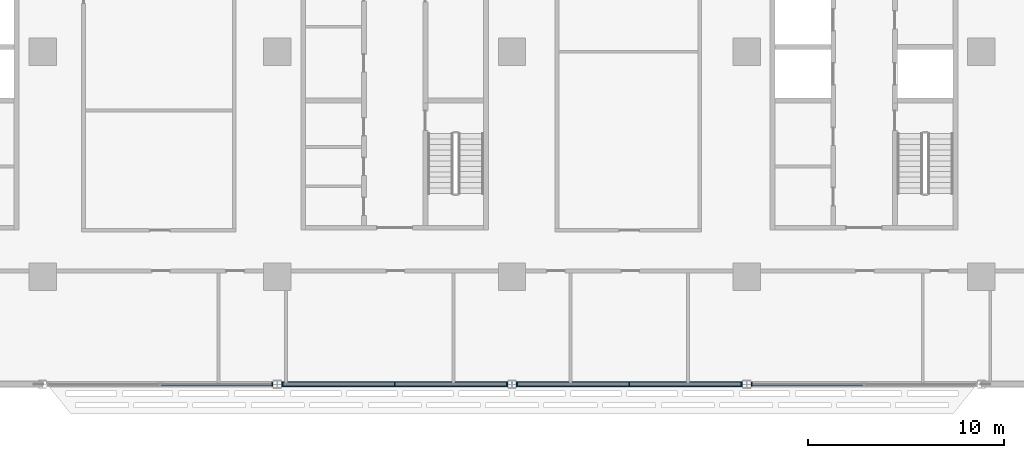
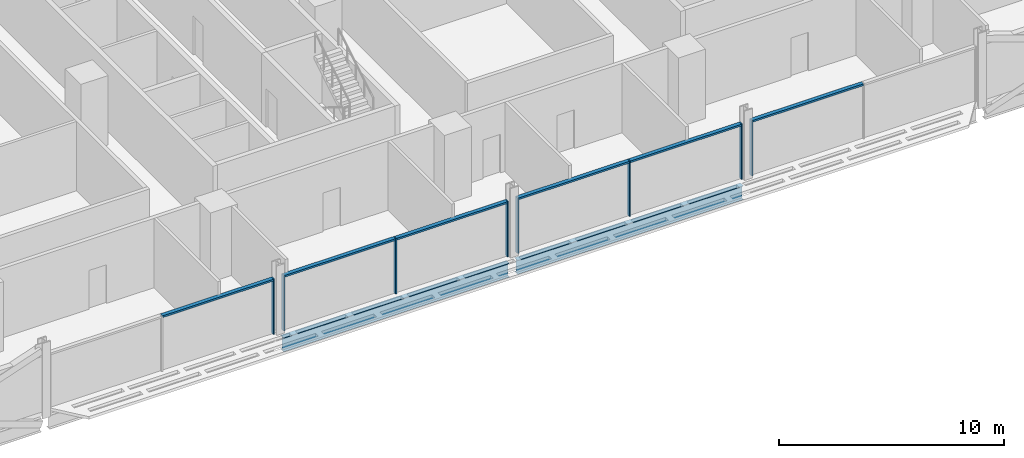
# One storey, part 5 of 29: 14 members, 2 beams, 4 elements without a shape of their own.
"""IFC4 building model written with IfcOpenShell, lengths in metres."""

from ifc_helpers import new_model, si_unit, direction, frame, origin, origin_2d, place, context, subcontext, project, spatial, rectangle, i_section, extrude, material, material_profile, profile_set, type_object, element, aggregate, save


model = new_model("IFC4")

# Units and contexts
model_context = context("Model", 3, precision=1e-05, world=origin(), true_north=direction((0.0, 1.0)))
body_context = subcontext(model_context, "Body", "Model", "MODEL_VIEW")
ifc_project = project(units=[si_unit("LENGTHUNIT", "METRE"), si_unit("AREAUNIT", "SQUARE_METRE"), si_unit("VOLUMEUNIT", "CUBIC_METRE"), si_unit("PLANEANGLEUNIT", "RADIAN"), si_unit("MASSUNIT", "GRAM", prefix="KILO")], contexts=[model_context])

# Site, building, storey
site_placement = place(None, origin())
site = spatial("IfcSite", under=ifc_project, at=site_placement, CompositionType="ELEMENT")
building_placement = place(site_placement, origin())
building = spatial("IfcBuilding", under=site, at=building_placement, Name="Mahtab Terrace Research Tower", CompositionType="ELEMENT")
storey_placement = place(building_placement, frame((0.0, 0.0, 97.10009765625)))
storey = spatial("IfcBuildingStorey", under=building, at=storey_placement, Name="L22", CompositionType="ELEMENT", Elevation=97.10009765625)

# Curtain wall, member
ifc_material_1 = material(Name="Laboratory ribbon curtain wall")
curtain_wall_type = type_object("IfcCurtainWallType", Name="Laboratory ribbon curtain wall", PredefinedType="NOTDEFINED", material=ifc_material_1)
curtain_wall_1_placement = place(storey_placement, origin())
curtain_wall_1 = element("IfcCurtainWall", 1, at=curtain_wall_1_placement, inside=storey, type_object=curtain_wall_type, Name="EN.L22.13.25", PredefinedType="NOTDEFINED")
ifc_material_2 = material(Name="Natural anodised aluminium", Category="aluminium")
ifc_material_profile_1 = material_profile(ifc_material_2, rectangle(XDim=0.199951171875, YDim=0.06494140625, at=origin_2d()), Name="MULLION 65x200")
ifc_profile_set_1 = profile_set([ifc_material_profile_1], Name="Natural anodised aluminium")
member_type_1 = type_object("IfcMemberType", Name="Laboratory ribbon curtain wall mullion", PredefinedType="MULLION", material=ifc_profile_set_1)
member_1_placement = place(storey_placement, frame((-6.260498046875, -17.0, 0.0), z_axis=(0.0, 0.0, 1.0), x_axis=(0.0, 1.0, 0.0)))
member_1 = element("IfcMember", 2, at=member_1_placement, type_object=member_type_1, Name="CWL-3 mullion 3", PredefinedType="MULLION", context=body_context, shape_type="SweptSolid", body=[
    extrude(rectangle(XDim=0.199951171875, YDim=0.06494140625, at=origin_2d()), origin(), (0.0, 0.0, 1.0), 3.0029296875),
])

# Curtain wall, members
curtain_wall_2_placement = place(storey_placement, origin())
curtain_wall_2 = element("IfcCurtainWall", 3, at=curtain_wall_2_placement, inside=storey, type_object=curtain_wall_type, Name="EN.L22.13.26", PredefinedType="NOTDEFINED")
member_2_placement = place(storey_placement, frame((-5.739501953125, -17.0, 0.0), z_axis=(0.0, 0.0, 1.0), x_axis=(0.0, 1.0, 0.0)))
member_2 = element("IfcMember", 4, at=member_2_placement, type_object=member_type_1, Name="CWL-3 mullion 1", PredefinedType="MULLION", context=body_context, shape_type="SweptSolid", body=[
    extrude(rectangle(XDim=0.199951171875, YDim=0.06494140625, at=origin_2d()), origin(), (0.0, 0.0, 1.0), 3.0029296875),
])
member_3_placement = place(storey_placement, frame((0.0, -17.0, 0.0), z_axis=(0.0, 0.0, 1.0), x_axis=(0.0, 1.0, 0.0)))
member_3 = element("IfcMember", 5, at=member_3_placement, type_object=member_type_1, Name="CWL-3 mullion 2", PredefinedType="MULLION", context=body_context, shape_type="SweptSolid", body=[
    extrude(rectangle(XDim=0.199951171875, YDim=0.06494140625, at=origin_2d()), origin(), (0.0, 0.0, 1.0), 3.0029296875),
])
member_4_placement = place(storey_placement, frame((5.739501953125, -17.0, 0.0), z_axis=(0.0, 0.0, 1.0), x_axis=(0.0, 1.0, 0.0)))
member_4 = element("IfcMember", 6, at=member_4_placement, type_object=member_type_1, Name="CWL-3 mullion 3", PredefinedType="MULLION", context=body_context, shape_type="SweptSolid", body=[
    extrude(rectangle(XDim=0.199951171875, YDim=0.06494140625, at=origin_2d()), origin(), (0.0, 0.0, 1.0), 3.0029296875),
])

curtain_wall_3_placement = place(storey_placement, origin())
curtain_wall_3 = element("IfcCurtainWall", 7, at=curtain_wall_3_placement, inside=storey, type_object=curtain_wall_type, Name="EN.L22.13.27", PredefinedType="NOTDEFINED")
member_5_placement = place(storey_placement, frame((6.260498046875, -17.0, 0.0), z_axis=(0.0, 0.0, 1.0), x_axis=(0.0, 1.0, 0.0)))
member_5 = element("IfcMember", 8, at=member_5_placement, type_object=member_type_1, Name="CWL-3 mullion 1", PredefinedType="MULLION", context=body_context, shape_type="SweptSolid", body=[
    extrude(rectangle(XDim=0.199951171875, YDim=0.06494140625, at=origin_2d()), origin(), (0.0, 0.0, 1.0), 3.0029296875),
])
member_6_placement = place(storey_placement, frame((12.0, -17.0, 0.0), z_axis=(0.0, 0.0, 1.0), x_axis=(0.0, 1.0, 0.0)))
member_6 = element("IfcMember", 9, at=member_6_placement, type_object=member_type_1, Name="CWL-3 mullion 2", PredefinedType="MULLION", context=body_context, shape_type="SweptSolid", body=[
    extrude(rectangle(XDim=0.199951171875, YDim=0.06494140625, at=origin_2d()), origin(), (0.0, 0.0, 1.0), 3.0029296875),
])
member_7_placement = place(storey_placement, frame((17.739501953125, -17.0, 0.0), z_axis=(0.0, 0.0, 1.0), x_axis=(0.0, 1.0, 0.0)))
member_7 = element("IfcMember", 10, at=member_7_placement, type_object=member_type_1, Name="CWL-3 mullion 3", PredefinedType="MULLION", context=body_context, shape_type="SweptSolid", body=[
    extrude(rectangle(XDim=0.199951171875, YDim=0.06494140625, at=origin_2d()), origin(), (0.0, 0.0, 1.0), 3.0029296875),
])

# Curtain wall, member
curtain_wall_4_placement = place(storey_placement, origin())
curtain_wall_4 = element("IfcCurtainWall", 11, at=curtain_wall_4_placement, inside=storey, type_object=curtain_wall_type, Name="EN.L22.13.28", PredefinedType="NOTDEFINED")
member_8_placement = place(storey_placement, frame((18.260498046875, -17.0, 0.0), z_axis=(0.0, 0.0, 1.0), x_axis=(0.0, 1.0, 0.0)))
member_8 = element("IfcMember", 12, at=member_8_placement, type_object=member_type_1, Name="CWL-3 mullion 1", PredefinedType="MULLION", context=body_context, shape_type="SweptSolid", body=[
    extrude(rectangle(XDim=0.199951171875, YDim=0.06494140625, at=origin_2d()), origin(), (0.0, 0.0, 1.0), 3.0029296875),
])

# Member
ifc_material_profile_2 = material_profile(ifc_material_2, rectangle(XDim=0.199951171875, YDim=0.10009765625, at=origin_2d()), Name="TRANSOM 100x200")
ifc_profile_set_2 = profile_set([ifc_material_profile_2], Name="Natural anodised aluminium")
member_type_2 = type_object("IfcMemberType", Name="Laboratory ribbon curtain wall transom", PredefinedType="USERDEFINED", material=ifc_profile_set_2)
member_9_placement = place(storey_placement, frame((-11.967529296875, -17.0, 2.952880859375), z_axis=(1.0, 0.0, 0.0), x_axis=(0.0, 1.0, 0.0)))
member_9 = element("IfcMember", 13, at=member_9_placement, type_object=member_type_2, Name="CWL-3 transom 2", ObjectType="TRANSOM", PredefinedType="USERDEFINED", context=body_context, shape_type="SweptSolid", body=[
    extrude(rectangle(XDim=0.199951171875, YDim=0.10009765625, at=origin_2d()), origin(), (0.0, 0.0, 1.0), 5.674560546875),
])

aggregate(curtain_wall_1, [member_1, member_9])

member_10_placement = place(storey_placement, frame((-5.70703125, -17.0, 2.952880859375), z_axis=(1.0, 0.0, 0.0), x_axis=(0.0, 1.0, 0.0)))
member_10 = element("IfcMember", 14, at=member_10_placement, type_object=member_type_2, Name="CWL-3 transom 1", ObjectType="TRANSOM", PredefinedType="USERDEFINED", context=body_context, shape_type="SweptSolid", body=[
    extrude(rectangle(XDim=0.199951171875, YDim=0.10009765625, at=origin_2d()), origin(), (0.0, 0.0, 1.0), 5.674560546875),
])

member_11_placement = place(storey_placement, frame((0.032470703125, -17.0, 2.952880859375), z_axis=(1.0, 0.0, 0.0), x_axis=(0.0, 1.0, 0.0)))
member_11 = element("IfcMember", 15, at=member_11_placement, type_object=member_type_2, Name="CWL-3 transom 2", ObjectType="TRANSOM", PredefinedType="USERDEFINED", context=body_context, shape_type="SweptSolid", body=[
    extrude(rectangle(XDim=0.199951171875, YDim=0.10009765625, at=origin_2d()), origin(), (0.0, 0.0, 1.0), 5.674560546875),
])

aggregate(curtain_wall_2, [member_2, member_3, member_4, member_10, member_11])

member_12_placement = place(storey_placement, frame((6.29296875, -17.0, 2.952880859375), z_axis=(1.0, 0.0, 0.0), x_axis=(0.0, 1.0, 0.0)))
member_12 = element("IfcMember", 16, at=member_12_placement, type_object=member_type_2, Name="CWL-3 transom 1", ObjectType="TRANSOM", PredefinedType="USERDEFINED", context=body_context, shape_type="SweptSolid", body=[
    extrude(rectangle(XDim=0.199951171875, YDim=0.10009765625, at=origin_2d()), origin(), (0.0, 0.0, 1.0), 5.674560546875),
])

member_13_placement = place(storey_placement, frame((12.032470703125, -17.0, 2.952880859375), z_axis=(1.0, 0.0, 0.0), x_axis=(0.0, 1.0, 0.0)))
member_13 = element("IfcMember", 17, at=member_13_placement, type_object=member_type_2, Name="CWL-3 transom 2", ObjectType="TRANSOM", PredefinedType="USERDEFINED", context=body_context, shape_type="SweptSolid", body=[
    extrude(rectangle(XDim=0.199951171875, YDim=0.10009765625, at=origin_2d()), origin(), (0.0, 0.0, 1.0), 5.674560546875),
])

aggregate(curtain_wall_3, [member_5, member_6, member_7, member_12, member_13])

member_14_placement = place(storey_placement, frame((18.29296875, -17.0, 2.952880859375), z_axis=(1.0, 0.0, 0.0), x_axis=(0.0, 1.0, 0.0)))
member_14 = element("IfcMember", 18, at=member_14_placement, type_object=member_type_2, Name="CWL-3 transom 1", ObjectType="TRANSOM", PredefinedType="USERDEFINED", context=body_context, shape_type="SweptSolid", body=[
    extrude(rectangle(XDim=0.199951171875, YDim=0.10009765625, at=origin_2d()), origin(), (0.0, 0.0, 1.0), 5.674560546875),
])

aggregate(curtain_wall_4, [member_8, member_14])

# Beams
ifc_material_3 = material(Name="Steel ASTM A992 Gr 50", Category="steel")
ifc_material_profile_3 = material_profile(ifc_material_3, i_section(OverallWidth=0.2666015625, OverallDepth=0.7568359375, WebThickness=0.013916015625, FlangeThickness=0.019287109375, at=origin_2d()), Name="W30X108")
ifc_profile_set_3 = profile_set([ifc_material_profile_3], Name="Steel ASTM A992 Gr 50")
beam_type = type_object("IfcBeamType", Name="W30x108 beam BS30108", PredefinedType="BEAM", material=ifc_profile_set_3)
for number, where, z_axis, x_axis, name in (
    (19, (-5.79052734375, -17.0, -0.718505859375), (1.0, 0.0, 0.0), (0.0, 1.0, 0.0), "Spandrel beam L22 15"),
    (20, (6.20947265625, -17.0, -0.718505859375), (1.0, 0.0, 0.0), (0.0, 1.0, 0.0), "Spandrel beam L22 16"),
):
    element("IfcBeam", number, at=place(storey_placement, frame(where, z_axis=z_axis, x_axis=x_axis)), inside=storey, type_object=beam_type, Name=name, PredefinedType="BEAM", context=body_context, shape_type="SweptSolid", body=[
        extrude(i_section(OverallWidth=0.2666015625, OverallDepth=0.7568359375, WebThickness=0.013916015625, FlangeThickness=0.019287109375, at=origin_2d()), origin(), (0.0, 0.0, 1.0), 11.5810546875),
    ])

save(model, "model.ifc")
